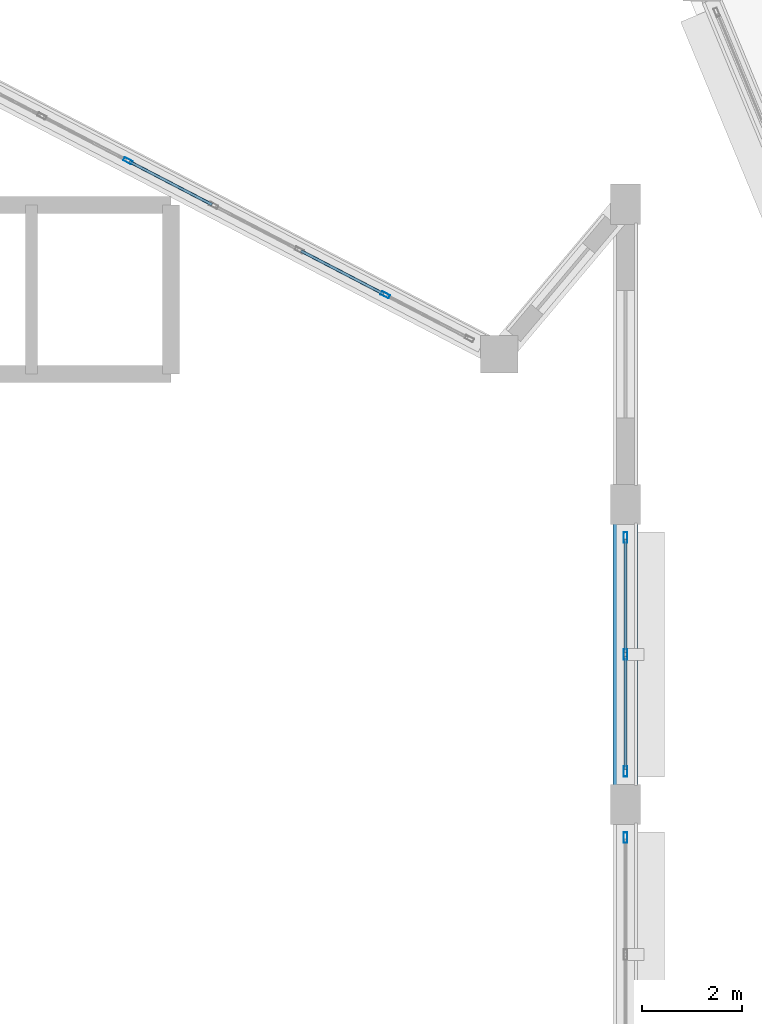
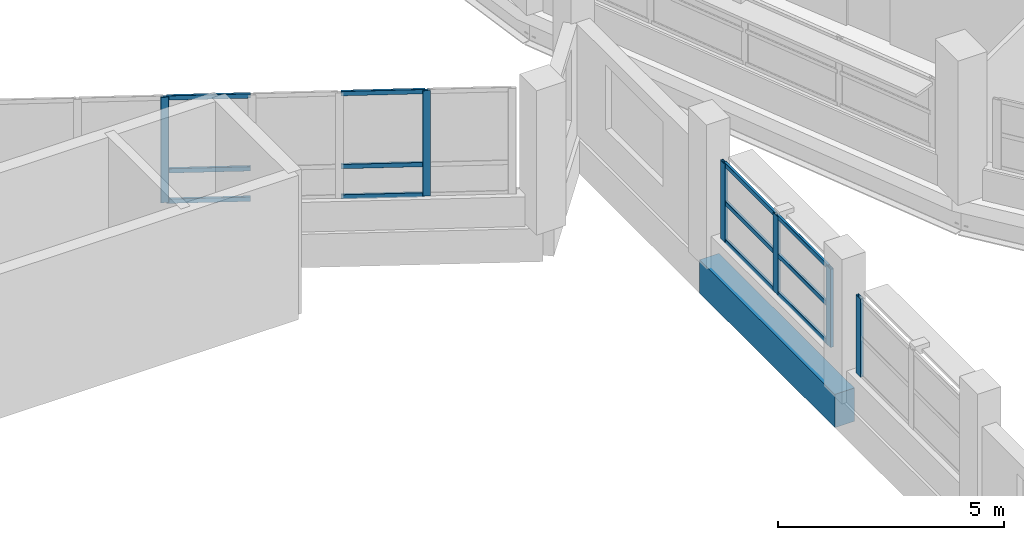
# One storey, part 16 of 121: 18 members, 1 beam, 3 elements without a shape of their own.
"""IFC4 building model written with IfcOpenShell, lengths in metres."""

from ifc_helpers import new_model, si_unit, direction, frame, origin, origin_2d, place, context, subcontext, project, spatial, rectangle, hollow_rectangle, extrude, material, layer, layer_set, material_profile, profile_set, type_object, element, aggregate, save


model = new_model("IFC4")

# Units and contexts
model_context = context("Model", 3, precision=1e-05, world=origin(), true_north=direction((0.0, 1.0)))
body_context = subcontext(model_context, "Body", "Model", "MODEL_VIEW")
ifc_project = project(units=[si_unit("LENGTHUNIT", "METRE"), si_unit("AREAUNIT", "SQUARE_METRE"), si_unit("VOLUMEUNIT", "CUBIC_METRE"), si_unit("PLANEANGLEUNIT", "RADIAN"), si_unit("MASSUNIT", "GRAM", prefix="KILO")], contexts=[model_context])

# Site, building, storey
site_placement = place(None, origin())
site = spatial("IfcSite", under=ifc_project, at=site_placement, CompositionType="ELEMENT")
building_placement = place(site_placement, origin())
building = spatial("IfcBuilding", under=site, at=building_placement, Name="Vespera Passage Community Centre", CompositionType="ELEMENT")
storey_placement = place(building_placement, frame((0.0, 0.0, 8.699951171875)))
storey = spatial("IfcBuildingStorey", under=building, at=storey_placement, Name="L02", CompositionType="ELEMENT", Elevation=8.699951171875)

# Beam
ifc_material_1 = material(Name="Concrete f'c 45 MPa", Category="concrete")
ifc_material_profile_1 = material_profile(ifc_material_1, rectangle(XDim=0.5, YDim=0.89990234375, at=origin_2d()), Name="RC500X900")
ifc_profile_set_1 = profile_set([ifc_material_profile_1], Name="Concrete f'c 45 MPa")
beam_type = type_object("IfcBeamType", Name="BM-SP-500X900E", PredefinedType="SPANDREL", material=ifc_profile_set_1)
beam_placement = place(storey_placement, frame((31.949951171875, 37.0, -0.449951171875), z_axis=(0.0, 1.0, 0.0), x_axis=(-1.0, 0.0, 0.0)))
element("IfcBeam", 1, at=beam_placement, inside=storey, type_object=beam_type, Name="V1 L02 Spandrel E6", PredefinedType="SPANDREL", context=body_context, shape_type="SweptSolid", body=[
    extrude(rectangle(XDim=0.5, YDim=0.89990234375, at=origin_2d()), origin(), (0.0, 0.0, 1.0), 6.0),
])

# Curtain wall, members
ifc_material_2 = material(Name="Anodized aluminium 6063-T6", Category="aluminium")
ifc_layer_1 = layer(ifc_material_2, 0.159912109375)
ifc_layer_set_1 = layer_set([ifc_layer_1], Name="Anodized aluminium 6063-T6")
curtain_wall_type_1 = type_object("IfcCurtainWallType", Name="CW-87E", PredefinedType="NOTDEFINED", material=ifc_layer_set_1)
curtain_wall_1_placement = place(storey_placement, origin())
curtain_wall_1 = element("IfcCurtainWall", 2, at=curtain_wall_1_placement, inside=storey, type_object=curtain_wall_type_1, Name="V1 L02 N Apse Ribbon Curtain Wall 3", PredefinedType="NOTDEFINED")
ifc_material_3 = material(Name="Anodized aluminium 6063-T6", Category="aluminium")
ifc_material_profile_2 = material_profile(ifc_material_3, hollow_rectangle(XDim=0.074951171875, YDim=0.179931640625, WallThickness=0.0048828125, InnerFilletRadius=0.00244140625, OuterFilletRadius=0.0048828125, at=origin_2d()), Name="ALU180X75X5")
ifc_profile_set_2 = profile_set([ifc_material_profile_2], Name="Anodized aluminium 6063-T6")
member_type_1 = type_object("IfcMemberType", Name="MB-CWM-180E", PredefinedType="MULLION", material=ifc_profile_set_2)
member_1_placement = place(storey_placement, frame((21.99755859375, 49.868896484375, 0.800048828125), z_axis=(0.0, 0.0, 1.0), x_axis=(0.46174493668, 0.887012747062, 0.0)))
member_1 = element("IfcMember", 3, at=member_1_placement, type_object=member_type_1, Name="CW-87E mullion 3", PredefinedType="MULLION", context=body_context, shape_type="SweptSolid", body=[
    extrude(hollow_rectangle(XDim=0.074951171875, YDim=0.179931640625, WallThickness=0.0048828125, InnerFilletRadius=0.00244140625, OuterFilletRadius=0.0048828125, at=origin_2d()), origin(), (0.0, 0.0, 1.0), 2.85009765625),
])
member_2_placement = place(storey_placement, frame((27.1455078125, 47.189208984375, 0.800048828125), z_axis=(0.0, 0.0, 1.0), x_axis=(0.46174493668, 0.887012747062, 0.0)))
member_2 = element("IfcMember", 4, at=member_2_placement, type_object=member_type_1, Name="CW-87E mullion 6", PredefinedType="MULLION", context=body_context, shape_type="SweptSolid", body=[
    extrude(hollow_rectangle(XDim=0.074951171875, YDim=0.179931640625, WallThickness=0.0048828125, InnerFilletRadius=0.00244140625, OuterFilletRadius=0.0048828125, at=origin_2d()), origin(), (0.0, 0.0, 1.0), 2.85009765625),
])

# Curtain wall, member
ifc_material_4 = material(Name="Anodized aluminium 6063-T6", Category="aluminium")
ifc_layer_2 = layer(ifc_material_4, 0.159912109375)
ifc_layer_set_2 = layer_set([ifc_layer_2], Name="Anodized aluminium 6063-T6")
curtain_wall_type_2 = type_object("IfcCurtainWallType", Name="CW-86E", PredefinedType="NOTDEFINED", material=ifc_layer_set_2)
curtain_wall_2_placement = place(storey_placement, origin())
curtain_wall_2 = element("IfcCurtainWall", 5, at=curtain_wall_2_placement, inside=storey, type_object=curtain_wall_type_2, Name="Main Hall Acoustic Curtain Wall L02 E5", PredefinedType="NOTDEFINED")
ifc_material_5 = material(Name="Anodized aluminium 6063-T6", Category="aluminium")
ifc_material_profile_3 = material_profile(ifc_material_5, hollow_rectangle(XDim=0.074951171875, YDim=0.2099609375, WallThickness=0.0048828125, InnerFilletRadius=0.00244140625, OuterFilletRadius=0.0048828125, at=origin_2d()), Name="ALU210X75X5")
ifc_profile_set_3 = profile_set([ifc_material_profile_3], Name="Anodized aluminium 6063-T6")
member_type_2 = type_object("IfcMemberType", Name="MB-CWM-210E", PredefinedType="MULLION", material=ifc_profile_set_3)
member_3_placement = place(storey_placement, frame((31.949951171875, 36.33740234375, 0.85009765625), z_axis=(0.0, 0.0, 1.0), x_axis=(1.0, 0.0, 0.0)))
member_3 = element("IfcMember", 6, at=member_3_placement, type_object=member_type_2, Name="CW-86E mullion 1", PredefinedType="MULLION", context=body_context, shape_type="SweptSolid", body=[
    extrude(hollow_rectangle(XDim=0.074951171875, YDim=0.2099609375, WallThickness=0.0048828125, InnerFilletRadius=0.00244140625, OuterFilletRadius=0.0048828125, at=origin_2d()), origin(), (0.0, 0.0, 1.0), 2.114990234375),
])
aggregate(curtain_wall_2, [member_3])

# Curtain wall, members
curtain_wall_3_placement = place(storey_placement, origin())
curtain_wall_3 = element("IfcCurtainWall", 7, at=curtain_wall_3_placement, inside=storey, type_object=curtain_wall_type_2, Name="Main Hall Acoustic Curtain Wall L02 E6", PredefinedType="NOTDEFINED")
member_4_placement = place(storey_placement, frame((31.949951171875, 42.33740234375, 0.85009765625), z_axis=(0.0, 0.0, 1.0), x_axis=(1.0, 0.0, 0.0)))
member_4 = element("IfcMember", 8, at=member_4_placement, type_object=member_type_2, Name="CW-86E mullion 1", PredefinedType="MULLION", context=body_context, shape_type="SweptSolid", body=[
    extrude(hollow_rectangle(XDim=0.074951171875, YDim=0.2099609375, WallThickness=0.0048828125, InnerFilletRadius=0.00244140625, OuterFilletRadius=0.0048828125, at=origin_2d()), origin(), (0.0, 0.0, 1.0), 2.114990234375),
])
member_5_placement = place(storey_placement, frame((31.949951171875, 40.0, 0.85009765625), z_axis=(0.0, 0.0, 1.0), x_axis=(1.0, 0.0, 0.0)))
member_5 = element("IfcMember", 9, at=member_5_placement, type_object=member_type_2, Name="CW-86E mullion 2", PredefinedType="MULLION", context=body_context, shape_type="SweptSolid", body=[
    extrude(hollow_rectangle(XDim=0.074951171875, YDim=0.2099609375, WallThickness=0.0048828125, InnerFilletRadius=0.00244140625, OuterFilletRadius=0.0048828125, at=origin_2d()), origin(), (0.0, 0.0, 1.0), 2.114990234375),
])
member_6_placement = place(storey_placement, frame((31.949951171875, 37.66259765625, 0.85009765625), z_axis=(0.0, 0.0, 1.0), x_axis=(1.0, 0.0, 0.0)))
member_6 = element("IfcMember", 10, at=member_6_placement, type_object=member_type_2, Name="CW-86E mullion 3", PredefinedType="MULLION", context=body_context, shape_type="SweptSolid", body=[
    extrude(hollow_rectangle(XDim=0.074951171875, YDim=0.2099609375, WallThickness=0.0048828125, InnerFilletRadius=0.00244140625, OuterFilletRadius=0.0048828125, at=origin_2d()), origin(), (0.0, 0.0, 1.0), 2.114990234375),
])
ifc_material_6 = material(Name="Anodized aluminium 6063-T6", Category="aluminium")
ifc_material_profile_4 = material_profile(ifc_material_6, hollow_rectangle(XDim=0.06005859375, YDim=0.1201171875, WallThickness=0.00390625, InnerFilletRadius=0.001953125, OuterFilletRadius=0.00390625, at=origin_2d()), Name="ALU120X60X4")
ifc_profile_set_4 = profile_set([ifc_material_profile_4], Name="Anodized aluminium 6063-T6")
member_type_3 = type_object("IfcMemberType", Name="MB-CWT-120E", PredefinedType="USERDEFINED", material=ifc_profile_set_4)
member_7_placement = place(storey_placement, frame((31.949951171875, 42.300048828125, 0.880126953125), z_axis=(0.0, -1.0, 0.0), x_axis=(1.0, 0.0, 0.0)))
member_7 = element("IfcMember", 11, at=member_7_placement, type_object=member_type_3, Name="CW-86E transom 1.1", ObjectType="TRANSOM", PredefinedType="USERDEFINED", context=body_context, shape_type="SweptSolid", body=[
    extrude(hollow_rectangle(XDim=0.06005859375, YDim=0.1201171875, WallThickness=0.00390625, InnerFilletRadius=0.001953125, OuterFilletRadius=0.00390625, at=origin_2d()), origin(), (0.0, 0.0, 1.0), 2.262451171875),
])
member_8_placement = place(storey_placement, frame((31.949951171875, 42.300048828125, 1.907470703125), z_axis=(0.0, -1.0, 0.0), x_axis=(1.0, 0.0, 0.0)))
member_8 = element("IfcMember", 12, at=member_8_placement, type_object=member_type_3, Name="CW-86E transom 1.2", ObjectType="TRANSOM", PredefinedType="USERDEFINED", context=body_context, shape_type="SweptSolid", body=[
    extrude(hollow_rectangle(XDim=0.06005859375, YDim=0.1201171875, WallThickness=0.00390625, InnerFilletRadius=0.001953125, OuterFilletRadius=0.00390625, at=origin_2d()), origin(), (0.0, 0.0, 1.0), 2.262451171875),
])
member_9_placement = place(storey_placement, frame((31.949951171875, 42.300048828125, 2.93505859375), z_axis=(0.0, -1.0, 0.0), x_axis=(1.0, 0.0, 0.0)))
member_9 = element("IfcMember", 13, at=member_9_placement, type_object=member_type_3, Name="CW-86E transom 1.3", ObjectType="TRANSOM", PredefinedType="USERDEFINED", context=body_context, shape_type="SweptSolid", body=[
    extrude(hollow_rectangle(XDim=0.06005859375, YDim=0.1201171875, WallThickness=0.00390625, InnerFilletRadius=0.001953125, OuterFilletRadius=0.00390625, at=origin_2d()), origin(), (0.0, 0.0, 1.0), 2.262451171875),
])
member_10_placement = place(storey_placement, frame((31.949951171875, 39.96240234375, 0.880126953125), z_axis=(0.0, -1.0, 0.0), x_axis=(1.0, 0.0, 0.0)))
member_10 = element("IfcMember", 14, at=member_10_placement, type_object=member_type_3, Name="CW-86E transom 2.1", ObjectType="TRANSOM", PredefinedType="USERDEFINED", context=body_context, shape_type="SweptSolid", body=[
    extrude(hollow_rectangle(XDim=0.06005859375, YDim=0.1201171875, WallThickness=0.00390625, InnerFilletRadius=0.001953125, OuterFilletRadius=0.00390625, at=origin_2d()), origin(), (0.0, 0.0, 1.0), 2.262451171875),
])
member_11_placement = place(storey_placement, frame((31.949951171875, 39.96240234375, 1.907470703125), z_axis=(0.0, -1.0, 0.0), x_axis=(1.0, 0.0, 0.0)))
member_11 = element("IfcMember", 15, at=member_11_placement, type_object=member_type_3, Name="CW-86E transom 2.2", ObjectType="TRANSOM", PredefinedType="USERDEFINED", context=body_context, shape_type="SweptSolid", body=[
    extrude(hollow_rectangle(XDim=0.06005859375, YDim=0.1201171875, WallThickness=0.00390625, InnerFilletRadius=0.001953125, OuterFilletRadius=0.00390625, at=origin_2d()), origin(), (0.0, 0.0, 1.0), 2.262451171875),
])
member_12_placement = place(storey_placement, frame((31.949951171875, 39.96240234375, 2.93505859375), z_axis=(0.0, -1.0, 0.0), x_axis=(1.0, 0.0, 0.0)))
member_12 = element("IfcMember", 16, at=member_12_placement, type_object=member_type_3, Name="CW-86E transom 2.3", ObjectType="TRANSOM", PredefinedType="USERDEFINED", context=body_context, shape_type="SweptSolid", body=[
    extrude(hollow_rectangle(XDim=0.06005859375, YDim=0.1201171875, WallThickness=0.00390625, InnerFilletRadius=0.001953125, OuterFilletRadius=0.00390625, at=origin_2d()), origin(), (0.0, 0.0, 1.0), 2.262451171875),
])
aggregate(curtain_wall_3, [member_4, member_5, member_6, member_7, member_8, member_9, member_10, member_11, member_12])

# Member
member_13_placement = place(storey_placement, frame((22.031005859375, 49.8515625, 0.830078125), z_axis=(0.887008197889, -0.461753675544, 0.0), x_axis=(0.461753675544, 0.887008197889, 0.0)))
member_13 = element("IfcMember", 17, at=member_13_placement, type_object=member_type_3, Name="CW-87E transom 3.1", ObjectType="TRANSOM", PredefinedType="USERDEFINED", context=body_context, shape_type="SweptSolid", body=[
    extrude(hollow_rectangle(XDim=0.06005859375, YDim=0.1201171875, WallThickness=0.00390625, InnerFilletRadius=0.001953125, OuterFilletRadius=0.00390625, at=origin_2d()), origin(), (0.0, 0.0, 1.0), 1.859619140625),
])

member_14_placement = place(storey_placement, frame((22.031005859375, 49.8515625, 1.650146484375), z_axis=(0.887008197889, -0.461753675544, 0.0), x_axis=(0.461753675544, 0.887008197889, 0.0)))
member_14 = element("IfcMember", 18, at=member_14_placement, type_object=member_type_3, Name="CW-87E transom 3.2", ObjectType="TRANSOM", PredefinedType="USERDEFINED", context=body_context, shape_type="SweptSolid", body=[
    extrude(hollow_rectangle(XDim=0.06005859375, YDim=0.1201171875, WallThickness=0.00390625, InnerFilletRadius=0.001953125, OuterFilletRadius=0.00390625, at=origin_2d()), origin(), (0.0, 0.0, 1.0), 1.859619140625),
])

member_15_placement = place(storey_placement, frame((22.031005859375, 49.8515625, 3.6201171875), z_axis=(0.887008197889, -0.461753675544, 0.0), x_axis=(0.461753675544, 0.887008197889, 0.0)))
member_15 = element("IfcMember", 19, at=member_15_placement, type_object=member_type_3, Name="CW-87E transom 3.3", ObjectType="TRANSOM", PredefinedType="USERDEFINED", context=body_context, shape_type="SweptSolid", body=[
    extrude(hollow_rectangle(XDim=0.06005859375, YDim=0.1201171875, WallThickness=0.00390625, InnerFilletRadius=0.001953125, OuterFilletRadius=0.00390625, at=origin_2d()), origin(), (0.0, 0.0, 1.0), 1.859619140625),
])

member_16_placement = place(storey_placement, frame((25.462890625, 48.065185546875, 0.830078125), z_axis=(0.887008197889, -0.461753675544, 0.0), x_axis=(0.461753675544, 0.887008197889, 0.0)))
member_16 = element("IfcMember", 20, at=member_16_placement, type_object=member_type_3, Name="CW-87E transom 5.1", ObjectType="TRANSOM", PredefinedType="USERDEFINED", context=body_context, shape_type="SweptSolid", body=[
    extrude(hollow_rectangle(XDim=0.06005859375, YDim=0.1201171875, WallThickness=0.00390625, InnerFilletRadius=0.001953125, OuterFilletRadius=0.00390625, at=origin_2d()), origin(), (0.0, 0.0, 1.0), 1.859619140625),
])

member_17_placement = place(storey_placement, frame((25.462890625, 48.065185546875, 1.650146484375), z_axis=(0.887008197889, -0.461753675544, 0.0), x_axis=(0.461753675544, 0.887008197889, 0.0)))
member_17 = element("IfcMember", 21, at=member_17_placement, type_object=member_type_3, Name="CW-87E transom 5.2", ObjectType="TRANSOM", PredefinedType="USERDEFINED", context=body_context, shape_type="SweptSolid", body=[
    extrude(hollow_rectangle(XDim=0.06005859375, YDim=0.1201171875, WallThickness=0.00390625, InnerFilletRadius=0.001953125, OuterFilletRadius=0.00390625, at=origin_2d()), origin(), (0.0, 0.0, 1.0), 1.859619140625),
])

member_18_placement = place(storey_placement, frame((25.462890625, 48.065185546875, 3.6201171875), z_axis=(0.887008197889, -0.461753675544, 0.0), x_axis=(0.461753675544, 0.887008197889, 0.0)))
member_18 = element("IfcMember", 22, at=member_18_placement, type_object=member_type_3, Name="CW-87E transom 5.3", ObjectType="TRANSOM", PredefinedType="USERDEFINED", context=body_context, shape_type="SweptSolid", body=[
    extrude(hollow_rectangle(XDim=0.06005859375, YDim=0.1201171875, WallThickness=0.00390625, InnerFilletRadius=0.001953125, OuterFilletRadius=0.00390625, at=origin_2d()), origin(), (0.0, 0.0, 1.0), 1.859619140625),
])

aggregate(curtain_wall_1, [member_1, member_2, member_13, member_14, member_15, member_16, member_17, member_18])

save(model, "model.ifc")
